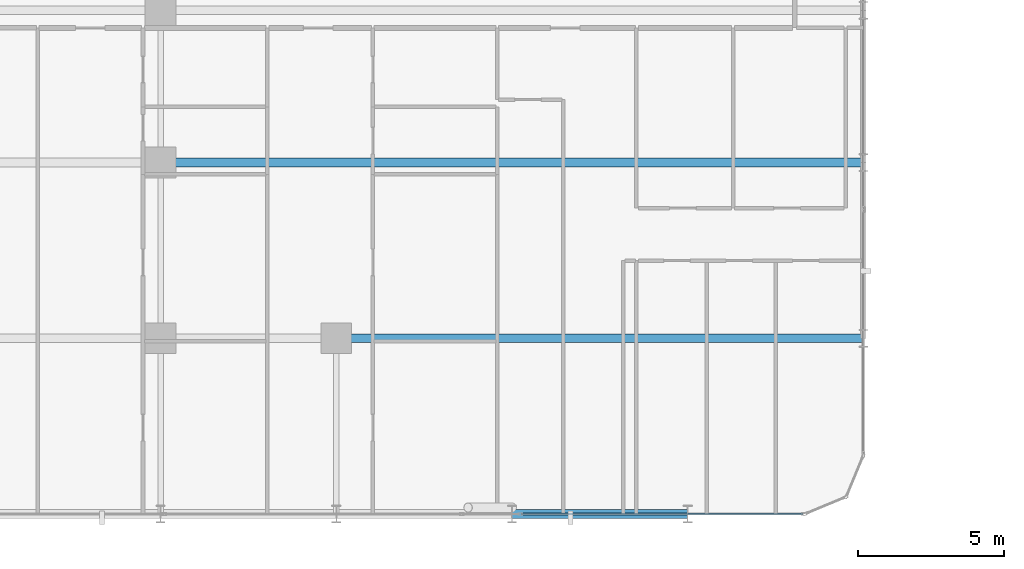
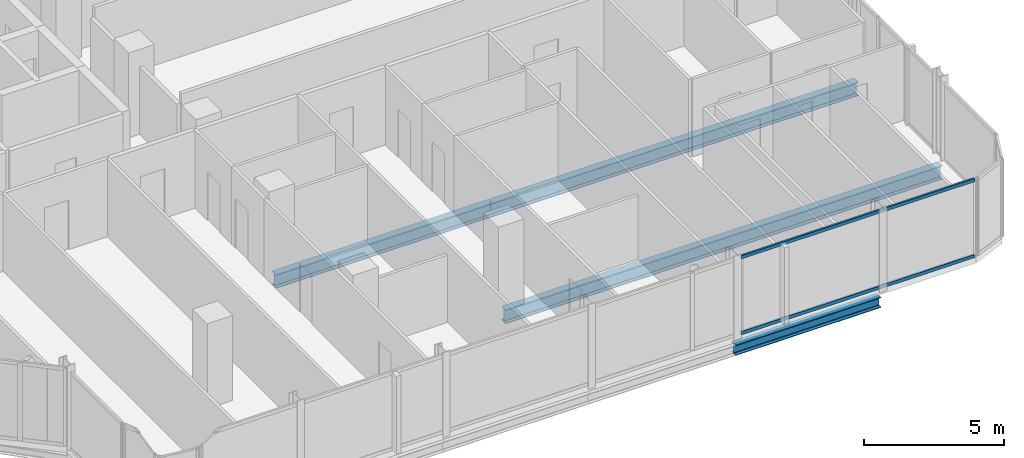
# One storey, part 9 of 30: 3 beams, 2 members, 1 element without a shape of its own.
"""IFC4 building model written with IfcOpenShell, lengths in metres."""

from ifc_helpers import new_model, si_unit, direction, frame, origin, origin_2d, place, context, subcontext, project, spatial, hollow_rectangle, i_section, extrude, material, layer, layer_set, material_profile, profile_set, type_object, element, aggregate, save


model = new_model("IFC4")

# Units and contexts
model_context = context("Model", 3, precision=1e-05, world=origin(), true_north=direction((0.0, 1.0)))
body_context = subcontext(model_context, "Body", "Model", "MODEL_VIEW")
ifc_project = project(units=[si_unit("LENGTHUNIT", "METRE"), si_unit("AREAUNIT", "SQUARE_METRE"), si_unit("VOLUMEUNIT", "CUBIC_METRE"), si_unit("PLANEANGLEUNIT", "RADIAN"), si_unit("MASSUNIT", "GRAM", prefix="KILO")], contexts=[model_context])

# Site, building, storey
site_placement = place(None, origin())
site = spatial("IfcSite", under=ifc_project, at=site_placement, CompositionType="ELEMENT")
building_placement = place(site_placement, origin())
building = spatial("IfcBuilding", under=site, at=building_placement, Name="Keshet Zoharim Tower", CompositionType="ELEMENT")
storey_placement = place(building_placement, frame((0.0, 0.0, 116.800048828125)))
storey = spatial("IfcBuildingStorey", under=building, at=storey_placement, Name="L28", CompositionType="ELEMENT", Elevation=116.800048828125)

# Beams
ifc_material_1 = material(Name="Steel S355", Category="steel")
ifc_material_profile_1 = material_profile(ifc_material_1, i_section(OverallWidth=0.300048828125, OverallDepth=0.60009765625, WebThickness=0.015380859375, FlangeThickness=0.030029296875, FilletRadius=0.027099609375, at=origin_2d()), Name="HEB600")
ifc_profile_set_1 = profile_set([ifc_material_profile_1], Name="Steel S355")
beam_type_1 = type_object("IfcBeamType", Name="BM-LNG-HB600", PredefinedType="BEAM", material=ifc_profile_set_1)
beam_1_placement = place(storey_placement, frame((39.0, 6.699951171875, -0.614990234375), z_axis=(1.0, 0.0, 0.0), x_axis=(0.0, 1.0, 0.0)))
element("IfcBeam", 1, at=beam_1_placement, inside=storey, type_object=beam_type_1, Name="L28 Primary Girder X-008", PredefinedType="BEAM", context=body_context, shape_type="SweptSolid", body=[
    extrude(i_section(OverallWidth=0.300048828125, OverallDepth=0.60009765625, WebThickness=0.015380859375, FlangeThickness=0.030029296875, FilletRadius=0.027099609375, at=origin_2d()), origin(), (0.0, 0.0, 1.0), 18.0),
])
beam_2_placement = place(storey_placement, frame((33.0, 12.699951171875, -0.614990234375), z_axis=(1.0, 0.0, 0.0), x_axis=(0.0, 1.0, 0.0)))
element("IfcBeam", 2, at=beam_2_placement, inside=storey, type_object=beam_type_1, Name="L28 Primary Girder X-010", PredefinedType="BEAM", context=body_context, shape_type="SweptSolid", body=[
    extrude(i_section(OverallWidth=0.300048828125, OverallDepth=0.60009765625, WebThickness=0.015380859375, FlangeThickness=0.030029296875, FilletRadius=0.027099609375, at=origin_2d()), origin(), (0.0, 0.0, 1.0), 24.0),
])
ifc_material_profile_2 = material_profile(ifc_material_1, i_section(OverallWidth=0.300048828125, OverallDepth=0.449951171875, WebThickness=0.013916015625, FlangeThickness=0.02587890625, FilletRadius=0.027099609375, at=origin_2d()), Name="HEB450")
ifc_profile_set_2 = profile_set([ifc_material_profile_2], Name="Steel S355")
beam_type_2 = type_object("IfcBeamType", Name="BM-WEB-HB450", PredefinedType="BEAM", material=ifc_profile_set_2)
beam_3_placement = place(storey_placement, frame((45.0, 0.699951171875, -0.5400390625), z_axis=(1.0, 0.0, 0.0), x_axis=(0.0, 1.0, 0.0)))
element("IfcBeam", 3, at=beam_3_placement, inside=storey, type_object=beam_type_2, Name="L28 Primary Girder X-004", PredefinedType="BEAM", context=body_context, shape_type="SweptSolid", body=[
    extrude(i_section(OverallWidth=0.300048828125, OverallDepth=0.449951171875, WebThickness=0.013916015625, FlangeThickness=0.02587890625, FilletRadius=0.027099609375, at=origin_2d()), origin(), (0.0, 0.0, 1.0), 6.0),
])

# Curtain wall, members
ifc_material_2 = material(Name="Aluminium 6063-T6", Category="aluminium")
ifc_layer = layer(ifc_material_2, 0.159912109375)
ifc_layer_set = layer_set([ifc_layer], Name="Aluminium 6063-T6")
curtain_wall_type = type_object("IfcCurtainWallType", Name="CW-SYS-03", PredefinedType="NOTDEFINED", material=ifc_layer_set)
curtain_wall_placement = place(storey_placement, origin())
curtain_wall = element("IfcCurtainWall", 4, at=curtain_wall_placement, inside=storey, type_object=curtain_wall_type, Name="L28 Unitised Curtain Wall 03", PredefinedType="NOTDEFINED")
ifc_material_profile_3 = material_profile(ifc_material_2, hollow_rectangle(XDim=0.080078125, YDim=0.139892578125, WallThickness=0.00390625, at=origin_2d()), Name="TRN-80x140")
ifc_profile_set_3 = profile_set([ifc_material_profile_3], Name="Aluminium 6063-T6")
member_type = type_object("IfcMemberType", Name="CWT-T14", PredefinedType="USERDEFINED", material=ifc_profile_set_3)
member_1_placement = place(storey_placement, frame((54.929931640625, 0.699951171875, 0.034912109375), z_axis=(-1.0, 0.0, 0.0), x_axis=(0.0, -1.0, 0.0)))
member_1 = element("IfcMember", 5, at=member_1_placement, type_object=member_type, Name="CW-03 transom 1.1", ObjectType="TRANSOM", PredefinedType="USERDEFINED", context=body_context, shape_type="SweptSolid", body=[
    extrude(hollow_rectangle(XDim=0.080078125, YDim=0.139892578125, WallThickness=0.00390625, at=origin_2d()), origin(), (0.0, 0.0, 1.0), 9.61181640625),
])
member_2_placement = place(storey_placement, frame((54.929931640625, 0.699951171875, 3.344970703125), z_axis=(-1.0, 0.0, 0.0), x_axis=(0.0, -1.0, 0.0)))
member_2 = element("IfcMember", 6, at=member_2_placement, type_object=member_type, Name="CW-03 transom 1.2", ObjectType="TRANSOM", PredefinedType="USERDEFINED", context=body_context, shape_type="SweptSolid", body=[
    extrude(hollow_rectangle(XDim=0.080078125, YDim=0.139892578125, WallThickness=0.00390625, at=origin_2d()), origin(), (0.0, 0.0, 1.0), 9.61181640625),
])
aggregate(curtain_wall, [member_1, member_2])

save(model, "model.ifc")
